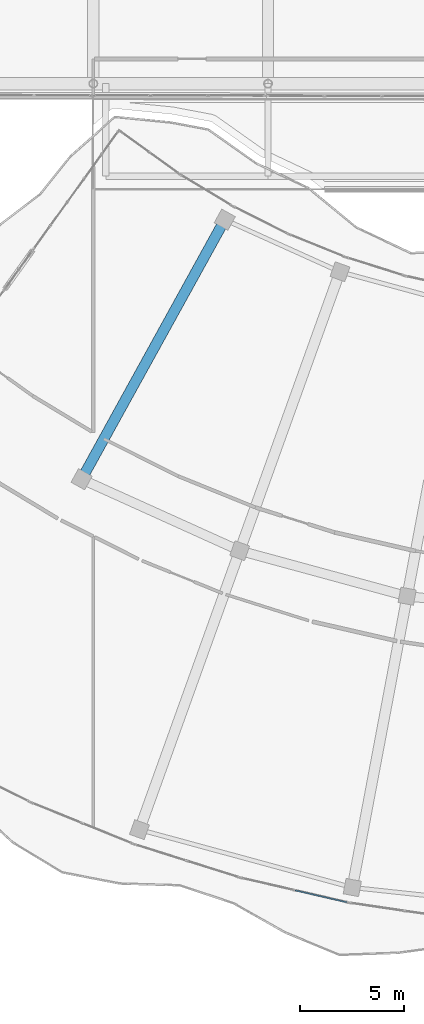
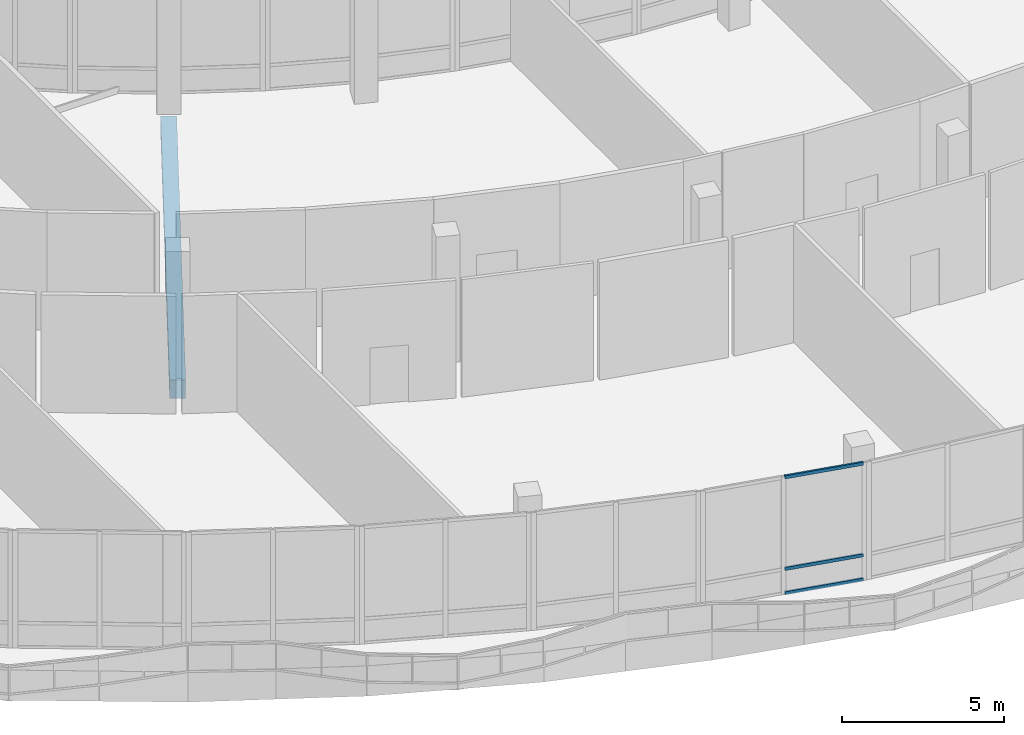
# One storey, part 20 of 168: 3 members, 1 beam, 1 element without a shape of its own.
"""IFC4 building model written with IfcOpenShell, lengths in metres."""

from ifc_helpers import new_model, si_unit, direction, frame, origin, origin_2d, place, context, subcontext, project, spatial, rectangle, hollow_rectangle, extrude, material, material_profile, profile_set, type_object, element, aggregate, save


model = new_model("IFC4")

# Units and contexts
model_context = context("Model", 3, precision=1e-05, world=origin(), true_north=direction((0.0, 1.0)))
body_context = subcontext(model_context, "Body", "Model", "MODEL_VIEW")
ifc_project = project(units=[si_unit("LENGTHUNIT", "METRE"), si_unit("AREAUNIT", "SQUARE_METRE"), si_unit("VOLUMEUNIT", "CUBIC_METRE"), si_unit("PLANEANGLEUNIT", "RADIAN"), si_unit("MASSUNIT", "GRAM", prefix="KILO")], contexts=[model_context])

# Site, building, storey
site_placement = place(None, origin())
site = spatial("IfcSite", under=ifc_project, at=site_placement, CompositionType="ELEMENT")
building_placement = place(site_placement, origin())
building = spatial("IfcBuilding", under=site, at=building_placement, Name="Selatvlak General Hospital", CompositionType="ELEMENT")
storey_placement = place(building_placement, frame((0.0, 0.0, 5.39990234375)))
storey = spatial("IfcBuildingStorey", under=building, at=storey_placement, Name="L01", CompositionType="ELEMENT", Elevation=5.39990234375)

# Beam
ifc_material_1 = material(Name="Concrete C40/50", Category="concrete")
ifc_material_profile_1 = material_profile(ifc_material_1, rectangle(XDim=0.5, YDim=0.699951171875, at=origin_2d()), Name="RC-BM 500x700")
ifc_profile_set_1 = profile_set([ifc_material_profile_1], Name="Concrete C40/50")
beam_type = type_object("IfcBeamType", Name="BM-G03", PredefinedType="BEAM", material=ifc_profile_set_1)
beam_placement = place(storey_placement, frame((37.52099609375, 46.009033203125, -0.669921875), z_axis=(-0.483032502688, -0.875602421963, 0.0), x_axis=(0.875602421963, -0.483032502688, 0.0)))
element("IfcBeam", 1, at=beam_placement, inside=storey, type_object=beam_type, Name="Beam BMR-L01-0718", PredefinedType="BEAM", context=body_context, shape_type="SweptSolid", body=[
    extrude(rectangle(XDim=0.5, YDim=0.699951171875, at=origin_2d()), origin(), (0.0, 0.0, 1.0), 14.249755859375),
])

# Curtain wall, members
ifc_material_2 = material(Name="Solar-control Low-E double glazing", Category="glass")
curtain_wall_type = type_object("IfcCurtainWallType", Name="CW-CW-02", PredefinedType="USERDEFINED", material=ifc_material_2)
curtain_wall_placement = place(storey_placement, origin())
curtain_wall = element("IfcCurtainWall", 2, at=curtain_wall_placement, inside=storey, type_object=curtain_wall_type, Name="Glazed facade curtain wall CW-L01-0178", ObjectType="UNITISED CURTAIN WALL", PredefinedType="USERDEFINED")
ifc_material_3 = material(Name="Dark anodised aluminium mullion", Category="aluminium")
ifc_material_profile_2 = material_profile(ifc_material_3, hollow_rectangle(XDim=0.06494140625, YDim=0.1201171875, WallThickness=0.00390625, at=origin_2d()), Name="AL-TRN 65x120x4")
ifc_profile_set_2 = profile_set([ifc_material_profile_2], Name="Dark anodised aluminium mullion")
member_type = type_object("IfcMemberType", Name="CWT-01", PredefinedType="USERDEFINED", material=ifc_profile_set_2)
member_1_placement = place(storey_placement, frame((43.38671875, 13.193603515625, 0.03271484375), z_axis=(-0.974560633156, 0.224124010991, 0.0), x_axis=(-0.224124010991, -0.974560633156, 0.0)))
member_1 = element("IfcMember", 3, at=member_1_placement, type_object=member_type, Name="CW-02 transom 1.1", ObjectType="TRANSOM", PredefinedType="USERDEFINED", context=body_context, shape_type="SweptSolid", body=[
    extrude(hollow_rectangle(XDim=0.06494140625, YDim=0.1201171875, WallThickness=0.00390625, at=origin_2d()), origin(), (0.0, 0.0, 1.0), 2.545654296875),
])
member_2_placement = place(storey_placement, frame((43.38671875, 13.193603515625, 0.9501953125), z_axis=(-0.974560633156, 0.224124010991, 0.0), x_axis=(-0.224124010991, -0.974560633156, 0.0)))
member_2 = element("IfcMember", 4, at=member_2_placement, type_object=member_type, Name="CW-02 transom 1.2", ObjectType="TRANSOM", PredefinedType="USERDEFINED", context=body_context, shape_type="SweptSolid", body=[
    extrude(hollow_rectangle(XDim=0.06494140625, YDim=0.1201171875, WallThickness=0.00390625, at=origin_2d()), origin(), (0.0, 0.0, 1.0), 2.545654296875),
])
member_3_placement = place(storey_placement, frame((43.38671875, 13.193603515625, 4.41259765625), z_axis=(-0.974560633156, 0.224124010991, 0.0), x_axis=(-0.224124010991, -0.974560633156, 0.0)))
member_3 = element("IfcMember", 5, at=member_3_placement, type_object=member_type, Name="CW-02 transom 1.3", ObjectType="TRANSOM", PredefinedType="USERDEFINED", context=body_context, shape_type="SweptSolid", body=[
    extrude(hollow_rectangle(XDim=0.06494140625, YDim=0.1201171875, WallThickness=0.00390625, at=origin_2d()), origin(), (0.0, 0.0, 1.0), 2.545654296875),
])
aggregate(curtain_wall, [member_1, member_2, member_3])

save(model, "model.ifc")
